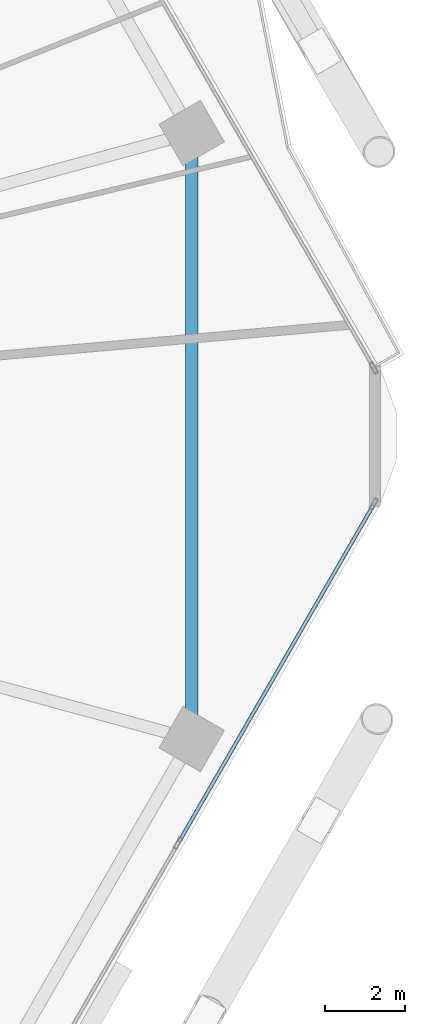
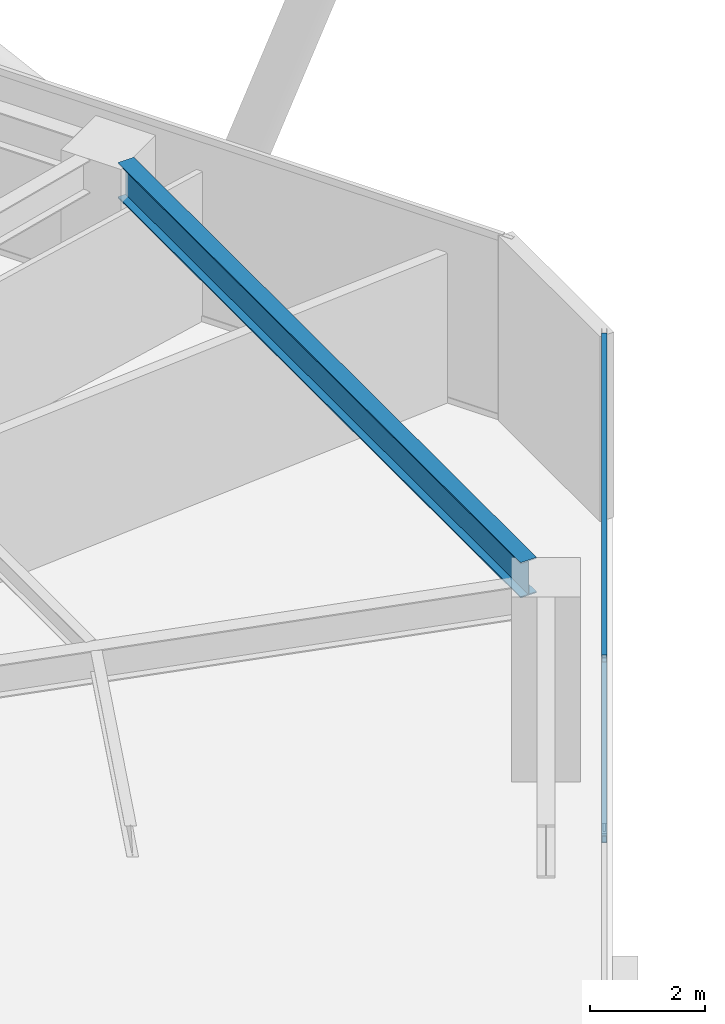
# One storey, part 12 of 30: 2 members, 1 beam, 1 element without a shape of its own.
"""IFC4 building model written with IfcOpenShell, lengths in metres."""

import ifcopenshell
import ifcopenshell.guid

model = None  # the IFC model being written
_history = None  # IfcOwnerHistory: only IFC2X3 demands one
_inside = {}  # id of a spatial element -> (the spatial element, [elements in it])
_under = {}  # id of a project, library or spatial element -> (it, [spatial elements below it])
_declared = {}  # id of a project -> (the project, [libraries it declares])
_typed = {}  # id of a type object -> (the type object, [elements of that type])
_made_of = {}  # id of a material, layer set ... -> (it, [elements and type objects made of it])


def new_model(schema):
    """Start an empty IFC model of exactly this schema.

    Asked for "IFC4X3", IfcOpenShell would pick the latest addendum, in which some entities
    have other attributes; the version numbers below select the first issue.
    IFC2X3 requires an IfcOwnerHistory on every rooted entity: one is made here for all.
    """
    global model, _history
    if schema == "IFC4X3":
        model = ifcopenshell.file(schema_version=(4, 3, 0, 0))
    else:
        model = ifcopenshell.file(schema=schema)
    _inside.clear()
    _under.clear()
    _declared.clear()
    _typed.clear()
    _made_of.clear()
    _history = None
    if model.schema == "IFC2X3":
        org = make("IfcOrganization", Name="unknown")
        user = make(
            "IfcPersonAndOrganization",
            ThePerson=make("IfcPerson", FamilyName="unknown"),
            TheOrganization=org,
        )
        app = make(
            "IfcApplication",
            ApplicationDeveloper=org,
            Version="unknown",
            ApplicationFullName="unknown",
            ApplicationIdentifier="unknown",
        )
        _history = make(
            "IfcOwnerHistory",
            OwningUser=user,
            OwningApplication=app,
            ChangeAction="ADDED",
            CreationDate=0,
        )
    return model


def make(cls, **values):
    """One entity of the class cls with the attributes given. An attribute that is None is left unset."""
    return model.create_entity(
        cls, **{name: value for name, value in values.items() if value is not None}
    )


def rooted(cls, **values):
    """An entity with a GlobalId (a new one), such as an element, a storey or a relation."""
    return make(cls, GlobalId=ifcopenshell.guid.new(), OwnerHistory=_history, **values)


def si_unit(unit_type, name, prefix=None):
    """IfcSIUnit, for example si_unit("LENGTHUNIT", "METRE", prefix="MILLI")."""
    return make("IfcSIUnit", UnitType=unit_type, Prefix=prefix, Name=name)


def assignment(units):
    """IfcUnitAssignment: the units of a project."""
    return None if units is None else make("IfcUnitAssignment", Units=units)


def point(xyz):
    """IfcCartesianPoint."""
    return None if xyz is None else make("IfcCartesianPoint", Coordinates=xyz)


def direction(xyz):
    """IfcDirection."""
    return None if xyz is None else make("IfcDirection", DirectionRatios=xyz)


def frame(location, z_axis=None, x_axis=None):
    """IfcAxis2Placement3D, a coordinate frame: its origin and axes. An axis left out is left unset."""
    return make(
        "IfcAxis2Placement3D",
        Location=point(location),
        Axis=direction(z_axis),
        RefDirection=direction(x_axis),
    )


def frame_2d(location, x_axis=None):
    """IfcAxis2Placement2D, a coordinate frame in the plane: its origin and x axis."""
    return make(
        "IfcAxis2Placement2D", Location=point(location), RefDirection=direction(x_axis)
    )


def origin():
    """The frame at (0, 0, 0) with its axes left unset."""
    return frame((0.0, 0.0, 0.0))


def origin_2d():
    """The frame at (0, 0) in the plane with its x axis left unset."""
    return frame_2d((0.0, 0.0))


def place(relative_to, where):
    """IfcLocalPlacement: puts the frame where relative to a parent placement (None: the world)."""
    return make(
        "IfcLocalPlacement", PlacementRelTo=relative_to, RelativePlacement=where
    )


def context(
    kind, dimensions, precision=None, world=None, true_north=None, identifier=None
):
    """IfcGeometricRepresentationContext, for example the 3D "Model" context."""
    return make(
        "IfcGeometricRepresentationContext",
        ContextIdentifier=identifier,
        ContextType=kind,
        CoordinateSpaceDimension=dimensions,
        Precision=precision,
        WorldCoordinateSystem=world,
        TrueNorth=true_north,
    )


def subcontext(parent, identifier, kind, view, scale=None):
    """IfcGeometricRepresentationSubContext, for example "Body" below "Model"."""
    return make(
        "IfcGeometricRepresentationSubContext",
        ContextIdentifier=identifier,
        ContextType=kind,
        ParentContext=parent,
        TargetScale=scale,
        TargetView=view,
    )


def project(units=None, contexts=None):
    """IfcProject with its units and contexts."""
    return rooted(
        "IfcProject",
        Name="project",
        RepresentationContexts=contexts,
        UnitsInContext=assignment(units),
    )


def spatial(cls, under=None, at=None, **own):
    """A site, building, storey or space (cls), placed at a placement, below another one or the project."""
    s = rooted(cls, ObjectPlacement=at, **own)
    if under is not None:
        _under.setdefault(under.id(), (under, []))[1].append(s)
    return s


def profile(cls, at=None, kind="AREA", **sizes):
    """A parametric profile (cls). Its sizes go by their IFC names, for example OverallWidth=200.0."""
    return make(cls, ProfileType=kind, Position=at, **sizes)


def hollow_rectangle(**sizes):
    """IfcRectangleHollowProfileDef."""
    return profile("IfcRectangleHollowProfileDef", **sizes)


def i_section(**sizes):
    """IfcIShapeProfileDef."""
    return profile("IfcIShapeProfileDef", **sizes)


def extrude(swept, where, along, depth):
    """IfcExtrudedAreaSolid: the profile swept, set in the frame where, extruded along a direction by depth."""
    return make(
        "IfcExtrudedAreaSolid",
        SweptArea=swept,
        Position=where,
        ExtrudedDirection=direction(along),
        Depth=depth,
    )


def shape(context_of_items, identifier, shape_type, items):
    """IfcShapeRepresentation: the items that make up one representation, for example the "Body"."""
    return make(
        "IfcShapeRepresentation",
        ContextOfItems=context_of_items,
        RepresentationIdentifier=identifier,
        RepresentationType=shape_type,
        Items=items,
    )


def material(Name=None, Category=None):
    """IfcMaterial."""
    return make("IfcMaterial", Name=Name, Category=Category)


def material_profile(
    of_material, cross_section, Name=None, Category=None, Priority=None
):
    """IfcMaterialProfile: a cross section and its material."""
    return make(
        "IfcMaterialProfile",
        Name=Name,
        Material=of_material,
        Profile=cross_section,
        Priority=Priority,
        Category=Category,
    )


def profile_set(profiles, Name=None, composite=None):
    """IfcMaterialProfileSet."""
    return make(
        "IfcMaterialProfileSet",
        Name=Name,
        MaterialProfiles=profiles,
        CompositeProfile=composite,
    )


def made_of(thing, what):
    """Note that an element or type object is made of a material, layer set ...; save() writes the relation."""
    if what is not None:
        _made_of.setdefault(what.id(), (what, []))[1].append(thing)
    return thing


def type_object(cls, material=None, **own):
    """A type object (cls), such as IfcWallType, which elements share."""
    return made_of(rooted(cls, **own), material)


def element(
    cls,
    number,
    at=None,
    inside=None,
    cuts=None,
    type_object=None,
    material=None,
    context=None,
    identifier="Body",
    shape_type=None,
    held_by="IfcProductDefinitionShape",
    body=None,
    shapes=None,
    **own,
):
    """One element of the class cls, such as IfcWall. Its Tag is "e" and its number.

    at: its placement. inside: the storey or other place that contains it. cuts: it is an
    opening in that element (IfcRelVoidsElement). A single representation is given by context,
    identifier, shape_type and body (its items); several are given by shapes. held_by: the class
    of the entity that holds the representations. save() writes the other relations.
    """
    e = rooted(cls, Tag="e%d" % number, ObjectPlacement=at, **own)
    if body is not None:
        shapes = [shape(context, identifier, shape_type, body)]
    if shapes is not None:
        e.Representation = make(held_by, Representations=shapes)
    if inside is not None:
        _inside.setdefault(inside.id(), (inside, []))[1].append(e)
    if cuts is not None:
        rooted(
            "IfcRelVoidsElement", RelatingBuildingElement=cuts, RelatedOpeningElement=e
        )
    if type_object is not None:
        _typed.setdefault(type_object.id(), (type_object, []))[1].append(e)
    return made_of(e, material)


def aggregate(whole, parts):
    """IfcRelAggregates: a whole, such as a stair, and the parts it consists of."""
    return rooted("IfcRelAggregates", RelatingObject=whole, RelatedObjects=parts)


def save(model, path):
    """Write the relations noted so far, then the file.

    IfcRelAggregates (storeys below a building ...), IfcRelContainedInSpatialStructure (elements
    in a storey), IfcRelDefinesByType, IfcRelAssociatesMaterial and IfcRelDeclares: one each for
    every whole, place, type object, material and project.
    """
    for whole, parts in _under.values():
        aggregate(whole, parts)
    for where, things in _inside.values():
        rooted(
            "IfcRelContainedInSpatialStructure",
            RelatedElements=things,
            RelatingStructure=where,
        )
    for kind, things in _typed.values():
        rooted("IfcRelDefinesByType", RelatedObjects=things, RelatingType=kind)
    for what, things in _made_of.values():
        rooted("IfcRelAssociatesMaterial", RelatedObjects=things, RelatingMaterial=what)
    for by, libraries in _declared.values():
        rooted("IfcRelDeclares", RelatingContext=by, RelatedDefinitions=libraries)
    model.write(path)


model = new_model("IFC4")

# Units and contexts
model_context = context("Model", 3, precision=1e-05, world=origin(), true_north=direction((0.0, 1.0)))
body_context = subcontext(model_context, "Body", "Model", "MODEL_VIEW")
ifc_project = project(units=[si_unit("LENGTHUNIT", "METRE"), si_unit("AREAUNIT", "SQUARE_METRE"), si_unit("VOLUMEUNIT", "CUBIC_METRE"), si_unit("PLANEANGLEUNIT", "RADIAN"), si_unit("MASSUNIT", "GRAM", prefix="KILO")], contexts=[model_context])

# Site, building, storey
site_placement = place(None, origin())
site = spatial("IfcSite", under=ifc_project, at=site_placement, CompositionType="ELEMENT")
building_placement = place(site_placement, origin())
building = spatial("IfcBuilding", under=site, at=building_placement, Name="Zuhravey Tower", CompositionType="ELEMENT")
storey_placement = place(building_placement, frame((0.0, 0.0, 16.199951171875)))
storey = spatial("IfcBuildingStorey", under=building, at=storey_placement, Name="L04", CompositionType="ELEMENT", Elevation=16.199951171875)

# Curtain wall, members
ifc_material_1 = material(Name="Thermally broken anodised aluminium", Category="aluminium")
curtain_wall_type = type_object("IfcCurtainWallType", Name="School Low-E Unitised Curtain Wall CW1", PredefinedType="NOTDEFINED", material=ifc_material_1)
curtain_wall_placement = place(storey_placement, origin())
curtain_wall = element("IfcCurtainWall", 1, at=curtain_wall_placement, inside=storey, type_object=curtain_wall_type, Name="L04 CW1 CW-L04-F6-1", PredefinedType="NOTDEFINED")
ifc_material_2 = material(Name="Anodised aluminium", Category="aluminium")
ifc_material_profile_1 = material_profile(ifc_material_2, hollow_rectangle(XDim=0.090087890625, YDim=0.14990234375, WallThickness=0.0048828125, at=origin_2d()), Name="ALU-RHS-90x150x5")
ifc_profile_set_1 = profile_set([ifc_material_profile_1], Name="Anodised aluminium")
member_type = type_object("IfcMemberType", Name="Curtain-Wall Transom 90x150", PredefinedType="USERDEFINED", material=ifc_profile_set_1)
member_1_placement = place(storey_placement, frame((68.43359375, 30.259521484375, 0.045166015625), z_axis=(-0.500008393077, -0.866020557985, 0.0), x_axis=(0.866020557985, -0.500008393077, 0.0)))
member_1 = element("IfcMember", 2, at=member_1_placement, type_object=member_type, Name="CW1 transom 1.1", ObjectType="TRANSOM", PredefinedType="USERDEFINED", context=body_context, shape_type="SweptSolid", body=[
    extrude(hollow_rectangle(XDim=0.090087890625, YDim=0.14990234375, WallThickness=0.0048828125, at=origin_2d()), origin(), (0.0, 0.0, 1.0), 9.731201171875),
])
member_2_placement = place(storey_placement, frame((68.43359375, 30.259521484375, 3.875), z_axis=(-0.500008393077, -0.866020557985, 0.0), x_axis=(0.866020557985, -0.500008393077, 0.0)))
member_2 = element("IfcMember", 3, at=member_2_placement, type_object=member_type, Name="CW1 transom 1.2", ObjectType="TRANSOM", PredefinedType="USERDEFINED", context=body_context, shape_type="SweptSolid", body=[
    extrude(hollow_rectangle(XDim=0.090087890625, YDim=0.14990234375, WallThickness=0.0048828125, at=origin_2d()), origin(), (0.0, 0.0, 1.0), 9.731201171875),
])
aggregate(curtain_wall, [member_1, member_2])

# Beam
ifc_material_3 = material(Name="Steel SM355", Category="steel")
ifc_material_profile_2 = material_profile(ifc_material_3, i_section(OverallWidth=0.320068359375, OverallDepth=0.75, WebThickness=0.013916015625, FlangeThickness=0.02490234375, at=origin_2d()), Name="H-750x320x14x25")
ifc_profile_set_2 = profile_set([ifc_material_profile_2], Name="Steel SM355")
beam_type = type_object("IfcBeamType", Name="Perimeter Ring Beam H750x320", PredefinedType="BEAM", material=ifc_profile_set_2)
beam_placement = place(storey_placement, frame((63.88916015625, 25.011474609375, 3.545166015625), z_axis=(0.0, 1.0, 0.0), x_axis=(-1.0, 0.0, 0.0)))
element("IfcBeam", 4, at=beam_placement, inside=storey, type_object=beam_type, Name="L04 PB1 BM-L04-PB-12", PredefinedType="BEAM", context=body_context, shape_type="SweptSolid", body=[
    extrude(i_section(OverallWidth=0.320068359375, OverallDepth=0.75, WebThickness=0.013916015625, FlangeThickness=0.02490234375, at=origin_2d()), origin(), (0.0, 0.0, 1.0), 13.97705078125),
])

save(model, "model.ifc")
